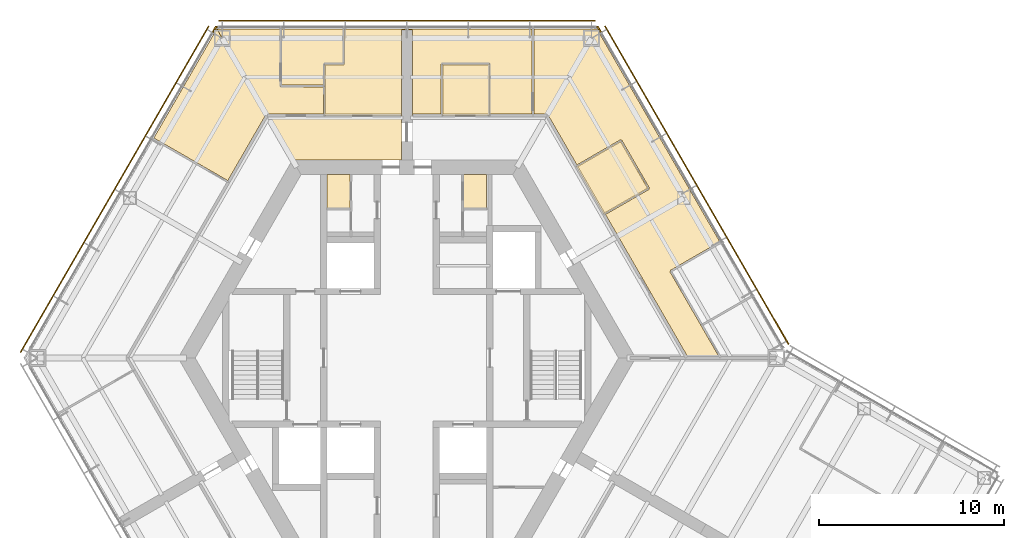
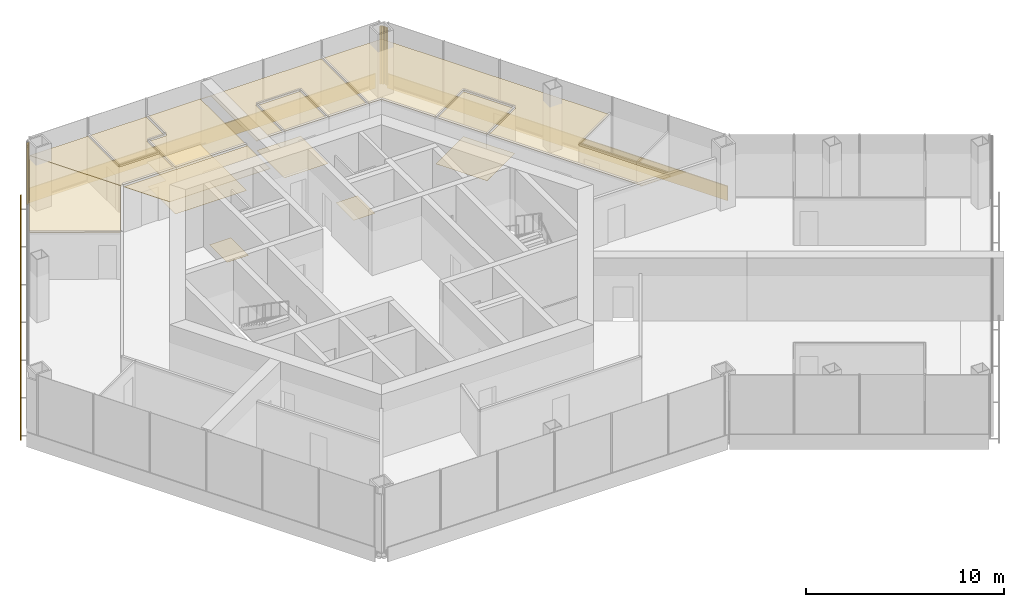
# One storey, part 15 of 15: 16 coverings, 3 shading devices.
"""IFC4 building model written with IfcOpenShell, lengths in metres."""

from ifc_helpers import new_model, si_unit, direction, frame, origin, origin_2d, place, context, subcontext, project, spatial, polyline, rectangle, outline, extrude, material, layer, layer_set, type_object, element, save


model = new_model("IFC4")

# Units and contexts
model_context = context("Model", 3, precision=1e-05, world=origin(), true_north=direction((0.0, 1.0)))
body_context = subcontext(model_context, "Body", "Model", "MODEL_VIEW")
ifc_project = project(units=[si_unit("LENGTHUNIT", "METRE"), si_unit("AREAUNIT", "SQUARE_METRE"), si_unit("VOLUMEUNIT", "CUBIC_METRE"), si_unit("PLANEANGLEUNIT", "RADIAN"), si_unit("MASSUNIT", "GRAM", prefix="KILO")], contexts=[model_context])

# Site, building, storey
site_placement = place(None, origin())
site = spatial("IfcSite", under=ifc_project, at=site_placement, CompositionType="ELEMENT")
building_placement = place(site_placement, origin())
building = spatial("IfcBuilding", under=site, at=building_placement, Name="Kasaneha Research Tower", CompositionType="ELEMENT")
storey_placement = place(building_placement, frame((0.0, 0.0, 212.800048828125)))
storey = spatial("IfcBuildingStorey", under=building, at=storey_placement, Name="L53", CompositionType="ELEMENT", Elevation=212.800048828125)

# Coverings
ifc_material_1 = material(Name="Terracotta", Category="masonry")
covering_type_1 = type_object("IfcCoveringType", Name="Corner pier cladding", PredefinedType="CLADDING", material=ifc_material_1)
covering_1_placement = place(storey_placement, origin())
element("IfcCovering", 1, at=covering_1_placement, inside=storey, type_object=covering_type_1, Name="Corner pier cladding L53 V1", PredefinedType="CLADDING", context=body_context, shape_type="SweptSolid", body=[
    extrude(outline(polyline([(10.476806640625, 17.5947265625), (10.449951171875, 17.64111328125), (10.449951171875, 17.7705078125), (10.375244140625, 17.7705078125), (10.317626953125, 17.87060546875), (10.247314453125, 17.87060546875), (10.247314453125, 17.96044921875), (10.369384765625, 17.96044921875), (10.5546875, 17.6396484375), (10.476806640625, 17.5947265625)])), origin(), (0.0, 0.0, 1.0), 3.5517578125),
])
covering_2_placement = place(storey_placement, origin())
element("IfcCovering", 2, at=covering_2_placement, inside=storey, type_object=covering_type_1, Name="Corner pier cladding L53 V2", PredefinedType="CLADDING", context=body_context, shape_type="SweptSolid", body=[
    extrude(outline(polyline([(-10.247314453125, 17.87060546875), (-10.317626953125, 17.87060546875), (-10.375244140625, 17.7705078125), (-10.449951171875, 17.7705078125), (-10.449951171875, 17.64111328125), (-10.476806640625, 17.5947265625), (-10.5546875, 17.6396484375), (-10.369384765625, 17.96044921875), (-10.247314453125, 17.96044921875), (-10.247314453125, 17.87060546875)])), origin(), (0.0, 0.0, 1.0), 3.5517578125),
])
ifc_material_2 = material(Name="Gypsum ceiling board", Category="gypsum")
ifc_layer_1 = layer(ifc_material_2, 0.02001953125)
ifc_layer_set_1 = layer_set([ifc_layer_1], Name="Suspended ceiling 20")
covering_type_2 = type_object("IfcCoveringType", Name="Suspended ceiling 20", PredefinedType="CEILING", material=ifc_layer_set_1)
covering_3_placement = place(storey_placement, frame((0.0, 0.0, 2.800048828125)))
element("IfcCovering", 3, at=covering_3_placement, inside=storey, type_object=covering_type_2, Name="Ceiling L53-28", PredefinedType="CEILING", context=body_context, shape_type="SweptSolid", body=[
    extrude(outline(polyline([(4.41015625, 13.199951171875), (1.954833984375, 13.199951171875), (1.9501953125, 15.875), (4.414794921875, 15.875), (4.41015625, 13.199951171875)])), origin(), (0.0, 0.0, 1.0), 0.02001953125),
])
covering_4_placement = place(storey_placement, frame((0.0, 0.0, 2.800048828125)))
element("IfcCovering", 4, at=covering_4_placement, inside=storey, type_object=covering_type_2, Name="Ceiling L53-29", PredefinedType="CEILING", context=body_context, shape_type="SweptSolid", body=[
    extrude(outline(polyline([(9.2587890625, 10.363525390625), (11.5732421875, 11.70458984375), (13.023193359375, 9.193359375), (10.704345703125, 7.859619140625), (9.2587890625, 10.363525390625)])), origin(), (0.0, 0.0, 1.0), 0.02001953125),
])
covering_5_placement = place(storey_placement, frame((0.0, 0.0, 2.800048828125)))
element("IfcCovering", 5, at=covering_5_placement, inside=storey, type_object=covering_type_2, Name="Ceiling L53-30", PredefinedType="CEILING", context=body_context, shape_type="SweptSolid", body=[
    extrude(outline(polyline([(6.8310546875, 17.820556640625), (6.8310546875, 17.800537109375), (6.781005859375, 17.800537109375), (6.776611328125, 13.199951171875), (4.510009765625, 13.199951171875), (4.514892578125, 15.9248046875), (4.465087890625, 15.925048828125), (4.465087890625, 15.97509765625), (1.89990234375, 15.97509765625), (1.89990234375, 15.925048828125), (1.85009765625, 15.9248046875), (1.85498046875, 13.199951171875), (0.320068359375, 13.199951171875), (0.320068359375, 13.125), (0.300048828125, 13.125), (0.300048828125, 17.7705078125), (0.300048828125, 17.7705078125), (0.0, 17.7705078125), (0.0, 17.820556640625), (6.8310546875, 17.820556640625)])), origin(), (0.0, 0.0, 1.0), 0.02001953125),
])
covering_6_placement = place(storey_placement, frame((0.0, 0.0, 2.800048828125)))
element("IfcCovering", 6, at=covering_6_placement, inside=storey, type_object=covering_type_2, Name="Ceiling L53-33", PredefinedType="CEILING", context=body_context, shape_type="SweptSolid", body=[
    extrude(outline(polyline([(11.591796875, 11.7734375), (11.59130859375, 11.773193359375), (11.56640625, 11.816162109375), (9.208740234375, 10.449951171875), (7.642578125, 13.16259765625), (7.578125, 13.125244140625), (7.578125, 13.125244140625), (7.57763671875, 13.125244140625), (7.57763671875, 13.199951171875), (6.87646484375, 13.199951171875), (6.880859375, 17.800537109375), (6.83154296875, 17.800537109375), (6.83154296875, 17.820556640625), (10.28857421875, 17.820556640625), (16.94677734375, 6.28857421875), (14.261962890625, 4.738525390625), (14.286865234375, 4.695556640625), (14.28662109375, 4.6953125), (14.28662109375, 4.695068359375), (14.24365234375, 4.670166015625), (15.93359375, 1.752197265625), (16.93994140625, 0.0), (15.156005859375, 0.0), (15.144287109375, 0.020263671875), (15.208740234375, 0.0576171875), (10.75439453125, 7.77294921875), (13.116455078125, 9.131591796875), (13.091552734375, 9.1748046875), (13.134765625, 9.199951171875), (11.634765625, 11.798095703125), (11.591796875, 11.773193359375), (11.591796875, 11.7734375)])), origin(), (0.0, 0.0, 1.0), 0.02001953125),
])
covering_7_placement = place(storey_placement, frame((0.0, 0.0, 2.800048828125)))
element("IfcCovering", 7, at=covering_7_placement, inside=storey, type_object=covering_type_2, Name="Ceiling L53-34", PredefinedType="CEILING", context=body_context, shape_type="SweptSolid", body=[
    extrude(outline(polyline([(-0.300048828125, 11.72509765625), (-0.300048828125, 10.72509765625), (-6.192138671875, 10.72509765625), (-7.534423828125, 13.050048828125), (-4.469970703125, 13.050048828125), (-4.46044921875, 13.050048828125), (-0.320068359375, 13.050048828125), (-0.320068359375, 13.125), (-0.300048828125, 13.125), (-0.300048828125, 12.72509765625), (-0.300048828125, 11.72509765625)])), origin(), (0.0, 0.0, 1.0), 0.02001953125),
])
covering_8_placement = place(storey_placement, frame((0.0, 0.0, 2.800048828125)))
element("IfcCovering", 8, at=covering_8_placement, inside=storey, type_object=covering_type_2, Name="Ceiling L53-35", PredefinedType="CEILING", context=body_context, shape_type="SweptSolid", body=[
    extrude(outline(polyline([(0.000244140625, 17.82080078125), (0.0, 17.7705078125), (-0.300048828125, 17.7705078125), (-0.300048828125, 13.125244140625), (-0.320068359375, 13.125244140625), (-0.320068359375, 13.199951171875), (-4.41064453125, 13.199951171875), (-4.4150390625, 14.72509765625), (-4.4150390625, 15.875), (-3.4150390625, 15.875), (-3.4150390625, 15.925048828125), (-3.4150390625, 15.925048828125), (-3.4150390625, 15.925048828125), (-3.364990234375, 15.925048828125), (-3.365234375, 17.800537109375), (-3.415283203125, 17.800537109375), (-3.415283203125, 17.821044921875), (0.000244140625, 17.82080078125)])), origin(), (0.0, 0.0, 1.0), 0.02001953125),
])
covering_9_placement = place(storey_placement, frame((0.0, 0.0, 2.800048828125)))
element("IfcCovering", 9, at=covering_9_placement, inside=storey, type_object=covering_type_2, Name="Ceiling L53-36", PredefinedType="CEILING", context=body_context, shape_type="SweptSolid", body=[
    extrude(outline(polyline([(-3.41552734375, 17.820556640625), (-3.41552734375, 17.800537109375), (-3.465087890625, 17.800537109375), (-3.465087890625, 15.97509765625), (-4.465087890625, 15.97509765625), (-4.465087890625, 15.925048828125), (-4.514892578125, 15.925048828125), (-4.514892578125, 14.77490234375), (-6.781005859375, 14.7705078125), (-6.781005859375, 17.800537109375), (-6.8310546875, 17.800537109375), (-6.8310546875, 17.820556640625), (-3.41552734375, 17.820556640625)])), origin(), (0.0, 0.0, 1.0), 0.02001953125),
])
covering_10_placement = place(storey_placement, frame((0.0, 0.0, 2.800048828125)))
element("IfcCovering", 10, at=covering_10_placement, inside=storey, type_object=covering_type_2, Name="Ceiling L53-37", PredefinedType="CEILING", context=body_context, shape_type="SweptSolid", body=[
    extrude(outline(polyline([(-6.83154296875, 17.800537109375), (-6.880859375, 17.800537109375), (-6.880859375, 14.720458984375), (-6.831298828125, 14.720458984375), (-6.831298828125, 14.72021484375), (-6.830810546875, 14.72021484375), (-6.830810546875, 14.67041015625), (-4.514892578125, 14.6748046875), (-4.5107421875, 13.199951171875), (-7.5546875, 13.199951171875), (-7.5546875, 13.12548828125), (-7.577880859375, 13.12548828125), (-10.28857421875, 17.820556640625), (-6.83154296875, 17.820556640625), (-6.83154296875, 17.800537109375)])), origin(), (0.0, 0.0, 1.0), 0.02001953125),
])
covering_11_placement = place(storey_placement, frame((0.0, 0.0, 2.800048828125)))
element("IfcCovering", 11, at=covering_11_placement, inside=storey, type_object=covering_type_2, Name="Ceiling L53-39", PredefinedType="CEILING", context=body_context, shape_type="SweptSolid", body=[
    extrude(outline(polyline([(-7.577392578125, 13.12548828125), (-7.58935546875, 13.10498046875), (-7.654296875, 13.142578125), (-9.696533203125, 9.60498046875), (-13.7001953125, 11.911376953125), (-10.288330078125, 17.821044921875), (-7.577392578125, 13.12548828125)])), origin(), (0.0, 0.0, 1.0), 0.02001953125),
])

# Shading devices
ifc_material_3 = material(Name="Terracotta", Category="masonry")
ifc_layer_2 = layer(ifc_material_3, 0.06005859375)
ifc_layer_set_2 = layer_set([ifc_layer_2], Name="Terracotta baguette screen")
shading_device_type = type_object("IfcShadingDeviceType", Name="Terracotta baguette screen", PredefinedType="USERDEFINED", material=ifc_layer_set_2)
shading_device_placement = place(storey_placement, frame((15.696044921875, 9.35498046875, -0.449951171875), z_axis=(0.0, 0.0, 1.0), x_axis=(-0.499999979232, 0.866025415775, 0.0)))
element("IfcShadingDevice", 12, at=shading_device_placement, inside=storey, type_object=shading_device_type, Name="Baguette screen L53 01", ObjectType="TERRACOTTA BAGUETTE SCREEN", PredefinedType="USERDEFINED", context=body_context, shape_type="SweptSolid", body=[
    extrude(rectangle(XDim=19.8857421875, YDim=0.06005859375, at=origin_2d()), origin(), (0.0, 0.0, 1.0), 0.89990234375),
])
for number, where, z_axis, x_axis, name in (
    (13, (0.0, 18.2705078125, -0.449951171875), (0.0, 0.0, 1.0), (-1.0, 0.0, 0.0), "Baguette screen L53 02"),
    (14, (-15.82275390625, 9.13525390625, -0.449951171875), (0.0, 0.0, 1.0), (-0.499999995722, -0.866025406254, 0.0), "Baguette screen L53 03"),
):
    element("IfcShadingDevice", number, at=place(storey_placement, frame(where, z_axis=z_axis, x_axis=x_axis)), inside=storey, type_object=shading_device_type, Name=name, ObjectType="TERRACOTTA BAGUETTE SCREEN", PredefinedType="USERDEFINED", context=body_context, shape_type="SweptSolid", body=[
        extrude(rectangle(XDim=20.392822265625, YDim=0.06005859375, at=origin_2d()), origin(), (0.0, 0.0, 1.0), 0.89990234375),
    ])

# Coverings
ifc_material_4 = material(Name="Vinyl sheet flooring", Category="plastic")
ifc_layer_3 = layer(ifc_material_4, 0.0048828125)
ifc_layer_set_3 = layer_set([ifc_layer_3], Name="Wet room sheet flooring 5")
covering_type_3 = type_object("IfcCoveringType", Name="Wet room sheet flooring 5", PredefinedType="FLOORING", material=ifc_layer_set_3)
covering_12_placement = place(storey_placement, origin())
element("IfcCovering", 15, at=covering_12_placement, inside=storey, type_object=covering_type_3, Name="Floor finish L53-07", PredefinedType="FLOORING", context=body_context, shape_type="SweptSolid", body=[
    extrude(outline(polyline([(-4.324951171875, 8.125), (-4.324951171875, 9.925048828125), (-3.074951171875, 9.925048828125), (-3.074951171875, 8.125), (-4.324951171875, 8.125)])), origin(), (0.0, 0.0, 1.0), 0.0048828125),
])
covering_13_placement = place(storey_placement, origin())
element("IfcCovering", 16, at=covering_13_placement, inside=storey, type_object=covering_type_3, Name="Floor finish L53-10", PredefinedType="FLOORING", context=body_context, shape_type="SweptSolid", body=[
    extrude(outline(polyline([(4.324951171875, 8.125), (3.074951171875, 8.125), (3.074951171875, 9.925048828125), (4.324951171875, 9.925048828125), (4.324951171875, 8.125)])), origin(), (0.0, 0.0, 1.0), 0.0048828125),
])
covering_14_placement = place(storey_placement, origin())
element("IfcCovering", 17, at=covering_14_placement, inside=storey, type_object=covering_type_3, Name="Floor finish L53-28", PredefinedType="FLOORING", context=body_context, shape_type="SweptSolid", body=[
    extrude(outline(polyline([(1.89990234375, 15.925048828125), (4.465087890625, 15.925048828125), (4.465087890625, 13.125), (1.89990234375, 13.125), (1.89990234375, 15.925048828125)])), origin(), (0.0, 0.0, 1.0), 0.0048828125),
])
covering_15_placement = place(storey_placement, origin())
element("IfcCovering", 18, at=covering_15_placement, inside=storey, type_object=covering_type_3, Name="Floor finish L53-29", PredefinedType="FLOORING", context=body_context, shape_type="SweptSolid", body=[
    extrude(outline(polyline([(11.591552734375, 11.77294921875), (13.091552734375, 9.175048828125), (10.66650390625, 7.77490234375), (9.16650390625, 10.373046875), (11.591552734375, 11.77294921875)])), origin(), (0.0, 0.0, 1.0), 0.0048828125),
])
covering_16_placement = place(storey_placement, origin())
element("IfcCovering", 19, at=covering_16_placement, inside=storey, type_object=covering_type_3, Name="Floor finish L53-35", PredefinedType="FLOORING", context=body_context, shape_type="SweptSolid", body=[
    extrude(outline(polyline([(-3.4150390625, 15.925048828125), (-3.415283203125, 17.821044921875), (0.000244140625, 17.82080078125), (0.0, 17.77001953125), (-0.299560546875, 17.77001953125), (-0.299560546875, 13.125244140625), (-4.465087890625, 13.125), (-4.465087890625, 15.925048828125), (-3.4150390625, 15.925048828125)])), origin(), (0.0, 0.0, 1.0), 0.0048828125),
])

save(model, "model.ifc")
